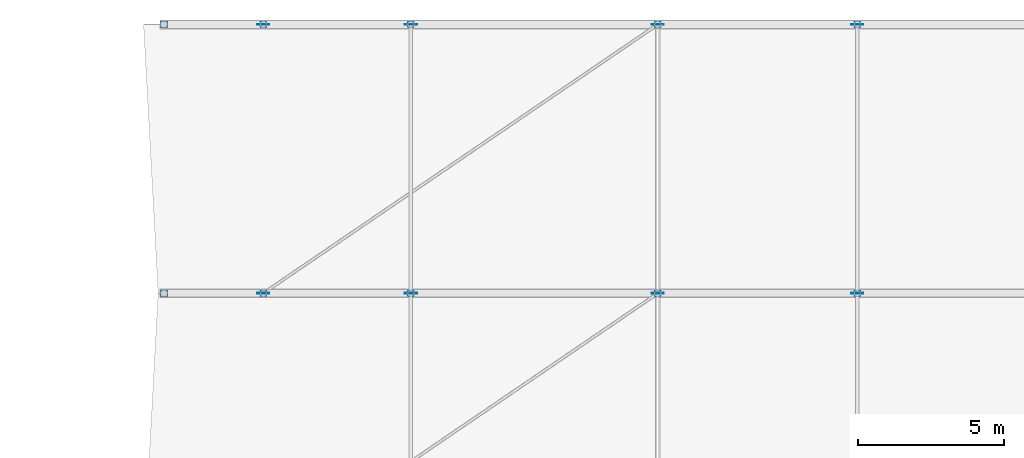
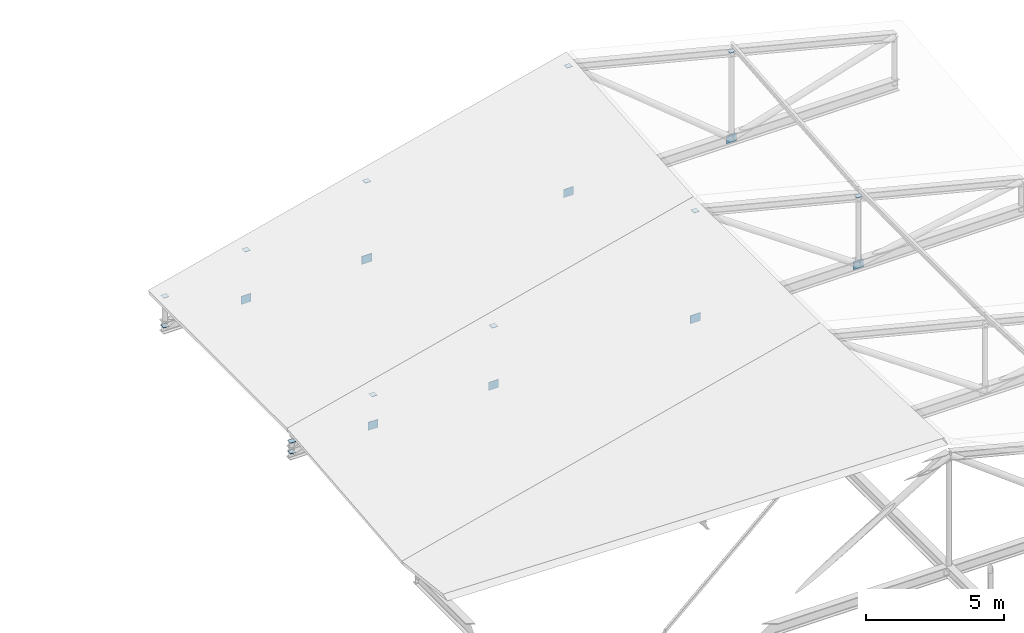
# One storey, part 53 of 56: 20 plates.
"""IFC4 building model written with IfcOpenShell, lengths in metres."""

from ifc_helpers import new_model, si_unit, direction, frame, origin, origin_2d, place, context, subcontext, project, spatial, rectangle, extrude, material, layer, layer_set, type_object, element, save


model = new_model("IFC4")

# Units and contexts
model_context = context("Model", 3, precision=1e-05, world=origin(), true_north=direction((0.0, 1.0)))
body_context = subcontext(model_context, "Body", "Model", "MODEL_VIEW")
ifc_project = project(units=[si_unit("LENGTHUNIT", "METRE"), si_unit("AREAUNIT", "SQUARE_METRE"), si_unit("VOLUMEUNIT", "CUBIC_METRE"), si_unit("PLANEANGLEUNIT", "RADIAN"), si_unit("MASSUNIT", "GRAM", prefix="KILO")], contexts=[model_context])

# Site, building, storey
site_placement = place(None, origin())
site = spatial("IfcSite", under=ifc_project, at=site_placement, CompositionType="ELEMENT")
building_placement = place(site_placement, origin())
building = spatial("IfcBuilding", under=site, at=building_placement, Name="Bozkorgan Art Gallery", CompositionType="ELEMENT")
storey_placement = place(building_placement, frame((0.0, 0.0, 24.0)))
storey = spatial("IfcBuildingStorey", under=building, at=storey_placement, Name="L05", CompositionType="ELEMENT", Elevation=24.0)

# Plates
ifc_material = material(Name="Steel S355J2", Category="steel")
ifc_layer_1 = layer(ifc_material, 0.01611328125, Name="Steel S355J2")
ifc_layer_set_1 = layer_set([ifc_layer_1], Name="Steel S355J2")
plate_type_1 = type_object("IfcPlateType", Name="PLATE-EC-05", PredefinedType="USERDEFINED", material=ifc_layer_set_1)
for number, where, z_axis, x_axis, name in (
    (1, (133.60009765625, 84.39990234375, 0.71875), (0.0, 0.0, 1.0), (1.0, 0.0, 0.0), "Truss V5 post cap 4.0"),
    (2, (133.60009765625, 84.39990234375, 0.241943359375), (0.0, 0.0, 1.0), (1.0, 0.0, 0.0), "Truss V5 post base cap 4.0"),
    (3, (137.0, 84.39990234375, 1.5791015625), (0.0, 0.0, 1.0), (1.0, 0.0, 0.0), "Truss V5 post cap 4.1"),
    (4, (142.050048828125, 84.39990234375, 2.85693359375), (0.0, 0.0, 1.0), (1.0, 0.0, 0.0), "Truss V5 post cap 4.2"),
    (5, (150.5, 84.39990234375, 4.9951171875), (0.0, 0.0, 1.0), (1.0, 0.0, 0.0), "Truss V5 post cap 4.3"),
    (6, (157.324951171875, 84.39990234375, 3.26806640625), (0.0, 0.0, 1.0), (1.0, 0.0, 0.0), "Truss V5 post cap 4.4"),
    (7, (133.60009765625, 93.60009765625, 1.552978515625), (0.0, 0.0, 1.0), (1.0, 0.0, 0.0), "Truss V5 post cap 5.0"),
    (8, (133.60009765625, 93.60009765625, 0.241943359375), (0.0, 0.0, 1.0), (1.0, 0.0, 0.0), "Truss V5 post base cap 5.0"),
    (9, (137.0, 93.60009765625, 2.413330078125), (0.0, 0.0, 1.0), (1.0, 0.0, 0.0), "Truss V5 post cap 5.1"),
    (10, (142.050048828125, 93.60009765625, 3.691162109375), (0.0, 0.0, 1.0), (1.0, 0.0, 0.0), "Truss V5 post cap 5.2"),
    (11, (150.5, 93.60009765625, 5.829345703125), (0.0, 0.0, 1.0), (1.0, 0.0, 0.0), "Truss V5 post cap 5.3"),
    (12, (157.324951171875, 93.60009765625, 4.1025390625), (0.0, 0.0, 1.0), (1.0, 0.0, 0.0), "Truss V5 post cap 5.4"),
):
    element("IfcPlate", number, at=place(storey_placement, frame(where, z_axis=z_axis, x_axis=x_axis)), inside=storey, type_object=plate_type_1, Name=name, ObjectType="END CAP PLATE", PredefinedType="USERDEFINED", context=body_context, shape_type="SweptSolid", body=[
        extrude(rectangle(XDim=0.22998046875, YDim=0.22998046875, at=origin_2d()), origin(), (0.0, 0.0, 1.0), 0.01611328125),
    ])
ifc_layer_2 = layer(ifc_material, 0.02392578125, Name="Steel S355J2")
ifc_layer_set_2 = layer_set([ifc_layer_2], Name="Steel S355J2")
plate_type_2 = type_object("IfcPlateType", Name="PLATE-GP-38", PredefinedType="USERDEFINED", material=ifc_layer_set_2)
for number, where, z_axis, x_axis, name in (
    (13, (150.5, 84.39990234375, 0.06982421875), (0.0, 0.0, 1.0), (1.0, 0.0, 0.0), "Truss V5 span 4 node gusset TN-3"),
    (14, (150.5, 93.60009765625, 0.06982421875), (0.0, 0.0, 1.0), (1.0, 0.0, 0.0), "Truss V5 span 5 node gusset TN-3"),
):
    element("IfcPlate", number, at=place(storey_placement, frame(where, z_axis=z_axis, x_axis=x_axis)), inside=storey, type_object=plate_type_2, Name=name, ObjectType="GUSSET PLATE", PredefinedType="USERDEFINED", context=body_context, shape_type="SweptSolid", body=[
        extrude(rectangle(XDim=0.419921875, YDim=0.02001953125, at=origin_2d()), origin(), (0.0, 0.0, 1.0), 0.360107421875),
    ])
ifc_layer_3 = layer(ifc_material, 0.02001953125, Name="Steel S355J2")
ifc_layer_set_3 = layer_set([ifc_layer_3], Name="Steel S355J2")
plate_type_3 = type_object("IfcPlateType", Name="PLATE-GP-55", PredefinedType="USERDEFINED", material=ifc_layer_set_3)
for number, where, z_axis, x_axis, name in (
    (15, (137.0, 84.39990234375, 0.06982421875), (0.0, 0.0, 1.0), (1.0, 0.0, 0.0), "Truss V5 span 4 node gusset TN-1"),
    (16, (142.050048828125, 84.39990234375, 0.06982421875), (0.0, 0.0, 1.0), (1.0, 0.0, 0.0), "Truss V5 span 4 node gusset TN-2"),
    (17, (157.324951171875, 84.39990234375, 0.06982421875), (0.0, 0.0, 1.0), (1.0, 0.0, 0.0), "Truss V5 span 4 node gusset TN-4"),
    (18, (137.0, 93.60009765625, 0.06982421875), (0.0, 0.0, 1.0), (1.0, 0.0, 0.0), "Truss V5 span 5 node gusset TN-1"),
    (19, (142.050048828125, 93.60009765625, 0.06982421875), (0.0, 0.0, 1.0), (1.0, 0.0, 0.0), "Truss V5 span 5 node gusset TN-2"),
    (20, (157.324951171875, 93.60009765625, 0.06982421875), (0.0, 0.0, 1.0), (1.0, 0.0, 0.0), "Truss V5 span 5 node gusset TN-4"),
):
    element("IfcPlate", number, at=place(storey_placement, frame(where, z_axis=z_axis, x_axis=x_axis)), inside=storey, type_object=plate_type_3, Name=name, ObjectType="GUSSET PLATE", PredefinedType="USERDEFINED", context=body_context, shape_type="SweptSolid", body=[
        extrude(rectangle(XDim=0.419921875, YDim=0.02001953125, at=origin_2d()), origin(), (0.0, 0.0, 1.0), 0.360107421875),
    ])

save(model, "model.ifc")
